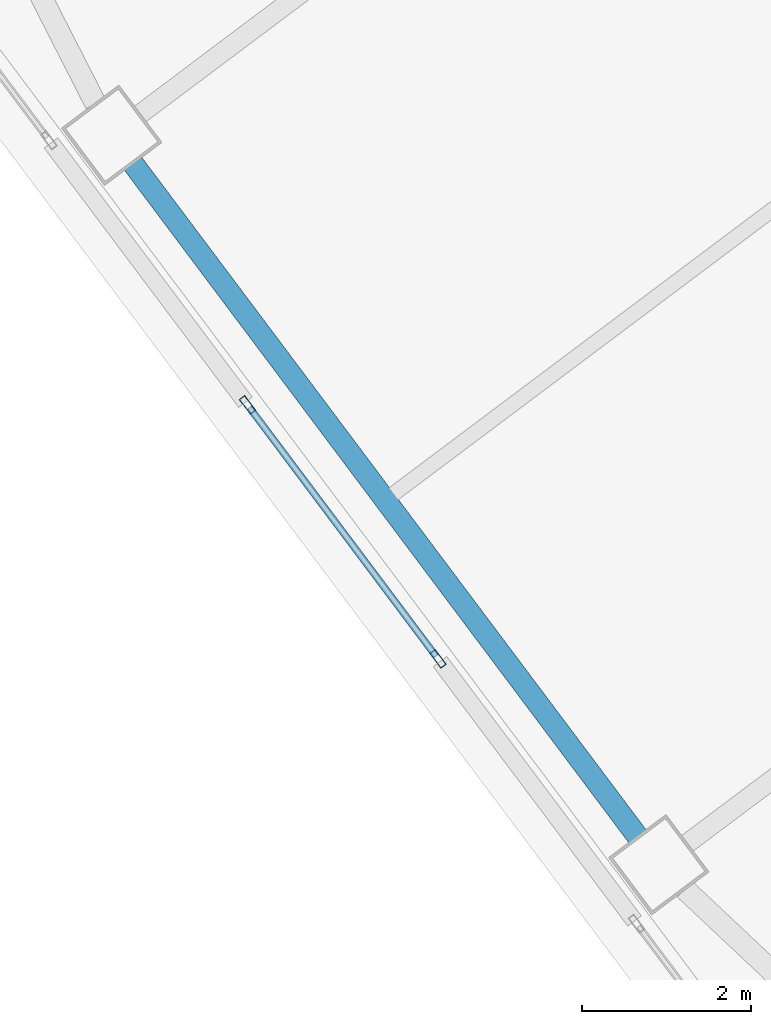
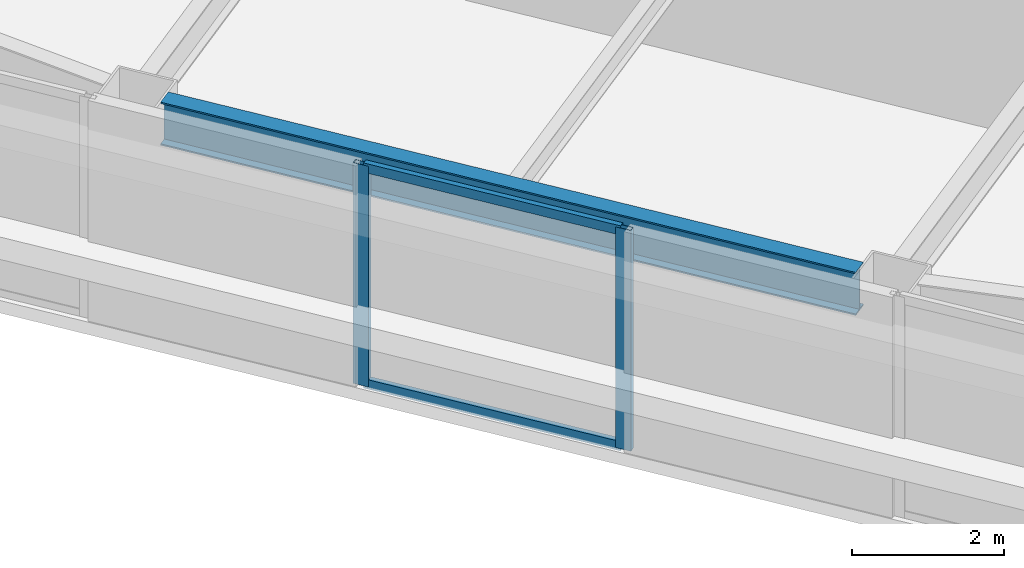
# One storey, part 16 of 46: 4 members, 1 beam, 1 element without a shape of its own.
"""IFC4 building model written with IfcOpenShell, lengths in metres."""

import ifcopenshell
import ifcopenshell.guid

model = None  # the IFC model being written
_history = None  # IfcOwnerHistory: only IFC2X3 demands one
_inside = {}  # id of a spatial element -> (the spatial element, [elements in it])
_under = {}  # id of a project, library or spatial element -> (it, [spatial elements below it])
_declared = {}  # id of a project -> (the project, [libraries it declares])
_typed = {}  # id of a type object -> (the type object, [elements of that type])
_made_of = {}  # id of a material, layer set ... -> (it, [elements and type objects made of it])


def new_model(schema):
    """Start an empty IFC model of exactly this schema.

    Asked for "IFC4X3", IfcOpenShell would pick the latest addendum, in which some entities
    have other attributes; the version numbers below select the first issue.
    IFC2X3 requires an IfcOwnerHistory on every rooted entity: one is made here for all.
    """
    global model, _history
    if schema == "IFC4X3":
        model = ifcopenshell.file(schema_version=(4, 3, 0, 0))
    else:
        model = ifcopenshell.file(schema=schema)
    _inside.clear()
    _under.clear()
    _declared.clear()
    _typed.clear()
    _made_of.clear()
    _history = None
    if model.schema == "IFC2X3":
        org = make("IfcOrganization", Name="unknown")
        user = make(
            "IfcPersonAndOrganization",
            ThePerson=make("IfcPerson", FamilyName="unknown"),
            TheOrganization=org,
        )
        app = make(
            "IfcApplication",
            ApplicationDeveloper=org,
            Version="unknown",
            ApplicationFullName="unknown",
            ApplicationIdentifier="unknown",
        )
        _history = make(
            "IfcOwnerHistory",
            OwningUser=user,
            OwningApplication=app,
            ChangeAction="ADDED",
            CreationDate=0,
        )
    return model


def make(cls, **values):
    """One entity of the class cls with the attributes given. An attribute that is None is left unset."""
    return model.create_entity(
        cls, **{name: value for name, value in values.items() if value is not None}
    )


def rooted(cls, **values):
    """An entity with a GlobalId (a new one), such as an element, a storey or a relation."""
    return make(cls, GlobalId=ifcopenshell.guid.new(), OwnerHistory=_history, **values)


def si_unit(unit_type, name, prefix=None):
    """IfcSIUnit, for example si_unit("LENGTHUNIT", "METRE", prefix="MILLI")."""
    return make("IfcSIUnit", UnitType=unit_type, Prefix=prefix, Name=name)


def assignment(units):
    """IfcUnitAssignment: the units of a project."""
    return None if units is None else make("IfcUnitAssignment", Units=units)


def point(xyz):
    """IfcCartesianPoint."""
    return None if xyz is None else make("IfcCartesianPoint", Coordinates=xyz)


def direction(xyz):
    """IfcDirection."""
    return None if xyz is None else make("IfcDirection", DirectionRatios=xyz)


def frame(location, z_axis=None, x_axis=None):
    """IfcAxis2Placement3D, a coordinate frame: its origin and axes. An axis left out is left unset."""
    return make(
        "IfcAxis2Placement3D",
        Location=point(location),
        Axis=direction(z_axis),
        RefDirection=direction(x_axis),
    )


def frame_2d(location, x_axis=None):
    """IfcAxis2Placement2D, a coordinate frame in the plane: its origin and x axis."""
    return make(
        "IfcAxis2Placement2D", Location=point(location), RefDirection=direction(x_axis)
    )


def origin():
    """The frame at (0, 0, 0) with its axes left unset."""
    return frame((0.0, 0.0, 0.0))


def origin_2d():
    """The frame at (0, 0) in the plane with its x axis left unset."""
    return frame_2d((0.0, 0.0))


def place(relative_to, where):
    """IfcLocalPlacement: puts the frame where relative to a parent placement (None: the world)."""
    return make(
        "IfcLocalPlacement", PlacementRelTo=relative_to, RelativePlacement=where
    )


def context(
    kind, dimensions, precision=None, world=None, true_north=None, identifier=None
):
    """IfcGeometricRepresentationContext, for example the 3D "Model" context."""
    return make(
        "IfcGeometricRepresentationContext",
        ContextIdentifier=identifier,
        ContextType=kind,
        CoordinateSpaceDimension=dimensions,
        Precision=precision,
        WorldCoordinateSystem=world,
        TrueNorth=true_north,
    )


def subcontext(parent, identifier, kind, view, scale=None):
    """IfcGeometricRepresentationSubContext, for example "Body" below "Model"."""
    return make(
        "IfcGeometricRepresentationSubContext",
        ContextIdentifier=identifier,
        ContextType=kind,
        ParentContext=parent,
        TargetScale=scale,
        TargetView=view,
    )


def project(units=None, contexts=None):
    """IfcProject with its units and contexts."""
    return rooted(
        "IfcProject",
        Name="project",
        RepresentationContexts=contexts,
        UnitsInContext=assignment(units),
    )


def spatial(cls, under=None, at=None, **own):
    """A site, building, storey or space (cls), placed at a placement, below another one or the project."""
    s = rooted(cls, ObjectPlacement=at, **own)
    if under is not None:
        _under.setdefault(under.id(), (under, []))[1].append(s)
    return s


def profile(cls, at=None, kind="AREA", **sizes):
    """A parametric profile (cls). Its sizes go by their IFC names, for example OverallWidth=200.0."""
    return make(cls, ProfileType=kind, Position=at, **sizes)


def hollow_rectangle(**sizes):
    """IfcRectangleHollowProfileDef."""
    return profile("IfcRectangleHollowProfileDef", **sizes)


def i_section(**sizes):
    """IfcIShapeProfileDef."""
    return profile("IfcIShapeProfileDef", **sizes)


def extrude(swept, where, along, depth):
    """IfcExtrudedAreaSolid: the profile swept, set in the frame where, extruded along a direction by depth."""
    return make(
        "IfcExtrudedAreaSolid",
        SweptArea=swept,
        Position=where,
        ExtrudedDirection=direction(along),
        Depth=depth,
    )


def shape(context_of_items, identifier, shape_type, items):
    """IfcShapeRepresentation: the items that make up one representation, for example the "Body"."""
    return make(
        "IfcShapeRepresentation",
        ContextOfItems=context_of_items,
        RepresentationIdentifier=identifier,
        RepresentationType=shape_type,
        Items=items,
    )


def material(Name=None, Category=None):
    """IfcMaterial."""
    return make("IfcMaterial", Name=Name, Category=Category)


def material_profile(
    of_material, cross_section, Name=None, Category=None, Priority=None
):
    """IfcMaterialProfile: a cross section and its material."""
    return make(
        "IfcMaterialProfile",
        Name=Name,
        Material=of_material,
        Profile=cross_section,
        Priority=Priority,
        Category=Category,
    )


def profile_set(profiles, Name=None, composite=None):
    """IfcMaterialProfileSet."""
    return make(
        "IfcMaterialProfileSet",
        Name=Name,
        MaterialProfiles=profiles,
        CompositeProfile=composite,
    )


def made_of(thing, what):
    """Note that an element or type object is made of a material, layer set ...; save() writes the relation."""
    if what is not None:
        _made_of.setdefault(what.id(), (what, []))[1].append(thing)
    return thing


def type_object(cls, material=None, **own):
    """A type object (cls), such as IfcWallType, which elements share."""
    return made_of(rooted(cls, **own), material)


def element(
    cls,
    number,
    at=None,
    inside=None,
    cuts=None,
    type_object=None,
    material=None,
    context=None,
    identifier="Body",
    shape_type=None,
    held_by="IfcProductDefinitionShape",
    body=None,
    shapes=None,
    **own,
):
    """One element of the class cls, such as IfcWall. Its Tag is "e" and its number.

    at: its placement. inside: the storey or other place that contains it. cuts: it is an
    opening in that element (IfcRelVoidsElement). A single representation is given by context,
    identifier, shape_type and body (its items); several are given by shapes. held_by: the class
    of the entity that holds the representations. save() writes the other relations.
    """
    e = rooted(cls, Tag="e%d" % number, ObjectPlacement=at, **own)
    if body is not None:
        shapes = [shape(context, identifier, shape_type, body)]
    if shapes is not None:
        e.Representation = make(held_by, Representations=shapes)
    if inside is not None:
        _inside.setdefault(inside.id(), (inside, []))[1].append(e)
    if cuts is not None:
        rooted(
            "IfcRelVoidsElement", RelatingBuildingElement=cuts, RelatedOpeningElement=e
        )
    if type_object is not None:
        _typed.setdefault(type_object.id(), (type_object, []))[1].append(e)
    return made_of(e, material)


def aggregate(whole, parts):
    """IfcRelAggregates: a whole, such as a stair, and the parts it consists of."""
    return rooted("IfcRelAggregates", RelatingObject=whole, RelatedObjects=parts)


def save(model, path):
    """Write the relations noted so far, then the file.

    IfcRelAggregates (storeys below a building ...), IfcRelContainedInSpatialStructure (elements
    in a storey), IfcRelDefinesByType, IfcRelAssociatesMaterial and IfcRelDeclares: one each for
    every whole, place, type object, material and project.
    """
    for whole, parts in _under.values():
        aggregate(whole, parts)
    for where, things in _inside.values():
        rooted(
            "IfcRelContainedInSpatialStructure",
            RelatedElements=things,
            RelatingStructure=where,
        )
    for kind, things in _typed.values():
        rooted("IfcRelDefinesByType", RelatedObjects=things, RelatingType=kind)
    for what, things in _made_of.values():
        rooted("IfcRelAssociatesMaterial", RelatedObjects=things, RelatingMaterial=what)
    for by, libraries in _declared.values():
        rooted("IfcRelDeclares", RelatingContext=by, RelatedDefinitions=libraries)
    model.write(path)


model = new_model("IFC4")

# Units and contexts
model_context = context("Model", 3, precision=1e-05, world=origin(), true_north=direction((0.0, 1.0)))
body_context = subcontext(model_context, "Body", "Model", "MODEL_VIEW")
ifc_project = project(units=[si_unit("LENGTHUNIT", "METRE"), si_unit("AREAUNIT", "SQUARE_METRE"), si_unit("VOLUMEUNIT", "CUBIC_METRE"), si_unit("PLANEANGLEUNIT", "RADIAN"), si_unit("MASSUNIT", "GRAM", prefix="KILO")], contexts=[model_context])

# Site, building, storey
site_placement = place(None, origin())
site = spatial("IfcSite", under=ifc_project, at=site_placement, CompositionType="ELEMENT")
building_placement = place(site_placement, origin())
building = spatial("IfcBuilding", under=site, at=building_placement, Name="Tashvorn Skyway Center", CompositionType="ELEMENT")
storey_placement = place(building_placement, frame((0.0, 0.0, 99.14990234375)))
storey = spatial("IfcBuildingStorey", under=building, at=storey_placement, Name="L26", CompositionType="ELEMENT", Elevation=99.14990234375)

# Beam
ifc_material_1 = material(Name="Steel ASTM A992 Grade 50", Category="steel")
ifc_material_profile_1 = material_profile(ifc_material_1, i_section(OverallWidth=0.256103515625, OverallDepth=0.693115234375, WebThickness=0.014404296875, FlangeThickness=0.023681640625, at=origin_2d()), Name="W27X114")
ifc_profile_set_1 = profile_set([ifc_material_profile_1], Name="Steel ASTM A992 Grade 50")
beam_type = type_object("IfcBeamType", Name="BM-SPANDREL-W27X114", PredefinedType="SPANDREL", material=ifc_profile_set_1)
beam_placement = place(storey_placement, frame((95.612060546875, 24.43408203125, 3.003662109375), z_axis=(0.599988234018, -0.800008824351, 0.0), x_axis=(0.800008824351, 0.599988234018, 0.0)))
element("IfcBeam", 1, at=beam_placement, inside=storey, type_object=beam_type, Name="Tower 2 L26 Spandrel Beam 11", PredefinedType="SPANDREL", context=body_context, shape_type="SweptSolid", body=[
    extrude(i_section(OverallWidth=0.256103515625, OverallDepth=0.693115234375, WebThickness=0.014404296875, FlangeThickness=0.023681640625, at=origin_2d()), origin(), (0.0, 0.0, 1.0), 9.9599609375),
])

# Curtain wall, members
ifc_material_2 = material(Name="Thermally broken bronze-anodized aluminium 6063-T6", Category="aluminium")
curtain_wall_type = type_object("IfcCurtainWallType", Name="CW-CW-Z2", PredefinedType="NOTDEFINED", material=ifc_material_2)
curtain_wall_placement = place(storey_placement, origin())
curtain_wall = element("IfcCurtainWall", 2, at=curtain_wall_placement, inside=storey, type_object=curtain_wall_type, Name="Tower 2 L26 West Unitised Curtain Wall Glazing Group 2", PredefinedType="NOTDEFINED")
ifc_material_profile_2 = material_profile(ifc_material_2, hollow_rectangle(XDim=0.080078125, YDim=0.219970703125, WallThickness=0.0048828125, at=origin_2d()), Name="ALU-MULL-80x220")
ifc_profile_set_2 = profile_set([ifc_material_profile_2], Name="Thermally broken bronze-anodized aluminium 6063-T6")
member_type_1 = type_object("IfcMemberType", Name="CWM-CW-Z2", PredefinedType="MULLION", material=ifc_profile_set_2)
member_1_placement = place(storey_placement, frame((99.22412109375, 18.568115234375, 0.0), z_axis=(0.0, 0.0, 1.0), x_axis=(-0.799999999998, -0.600000000002, 0.0)))
member_1 = element("IfcMember", 3, at=member_1_placement, type_object=member_type_1, Name="CW-Z2 mullion 1", PredefinedType="MULLION", context=body_context, shape_type="SweptSolid", body=[
    extrude(hollow_rectangle(XDim=0.080078125, YDim=0.219970703125, WallThickness=0.0048828125, at=origin_2d()), origin(), (0.0, 0.0, 1.0), 3.550048828125),
])
member_2_placement = place(storey_placement, frame((96.968017578125, 21.575927734375, 0.0), z_axis=(0.0, 0.0, 1.0), x_axis=(-0.799999999998, -0.600000000002, 0.0)))
member_2 = element("IfcMember", 4, at=member_2_placement, type_object=member_type_1, Name="CW-Z2 mullion 2", PredefinedType="MULLION", context=body_context, shape_type="SweptSolid", body=[
    extrude(hollow_rectangle(XDim=0.080078125, YDim=0.219970703125, WallThickness=0.0048828125, at=origin_2d()), origin(), (0.0, 0.0, 1.0), 3.550048828125),
])
ifc_material_profile_3 = material_profile(ifc_material_2, hollow_rectangle(XDim=0.080078125, YDim=0.14990234375, WallThickness=0.00439453125, at=origin_2d()), Name="ALU-TRAN-80x150")
ifc_profile_set_3 = profile_set([ifc_material_profile_3], Name="Thermally broken bronze-anodized aluminium 6063-T6")
member_type_2 = type_object("IfcMemberType", Name="CWT-CW-Z2", PredefinedType="USERDEFINED", material=ifc_profile_set_3)
member_3_placement = place(storey_placement, frame((99.199951171875, 18.60009765625, 0.0400390625), z_axis=(-0.600021230084, 0.799984076997, 0.0), x_axis=(-0.799984076997, -0.600021230084, 0.0)))
member_3 = element("IfcMember", 5, at=member_3_placement, type_object=member_type_2, Name="CW-Z2 transom 1.1", ObjectType="TRANSOM", PredefinedType="USERDEFINED", context=body_context, shape_type="SweptSolid", body=[
    extrude(hollow_rectangle(XDim=0.080078125, YDim=0.14990234375, WallThickness=0.00439453125, at=origin_2d()), origin(), (0.0, 0.0, 1.0), 3.679931640625),
])
member_4_placement = place(storey_placement, frame((99.199951171875, 18.60009765625, 3.510009765625), z_axis=(-0.600021230084, 0.799984076997, 0.0), x_axis=(-0.799984076997, -0.600021230084, 0.0)))
member_4 = element("IfcMember", 6, at=member_4_placement, type_object=member_type_2, Name="CW-Z2 transom 1.2", ObjectType="TRANSOM", PredefinedType="USERDEFINED", context=body_context, shape_type="SweptSolid", body=[
    extrude(hollow_rectangle(XDim=0.080078125, YDim=0.14990234375, WallThickness=0.00439453125, at=origin_2d()), origin(), (0.0, 0.0, 1.0), 3.679931640625),
])
aggregate(curtain_wall, [member_1, member_2, member_3, member_4])

save(model, "model.ifc")
